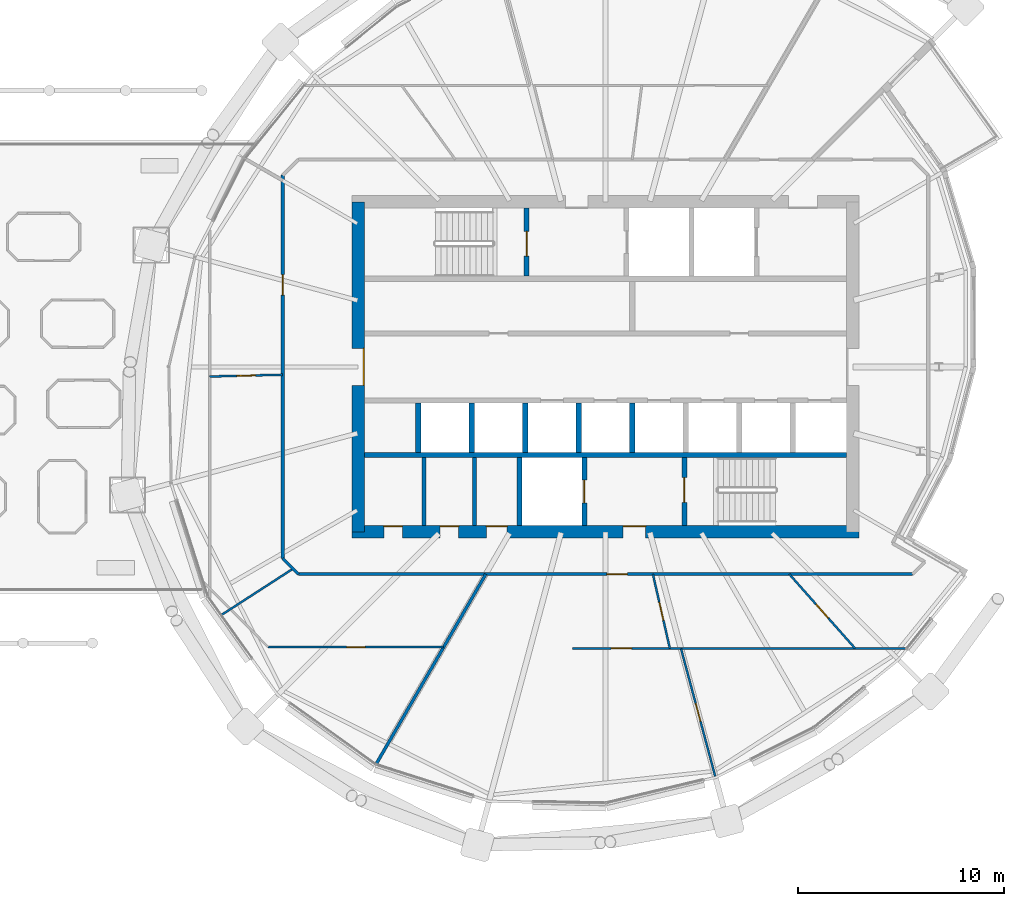
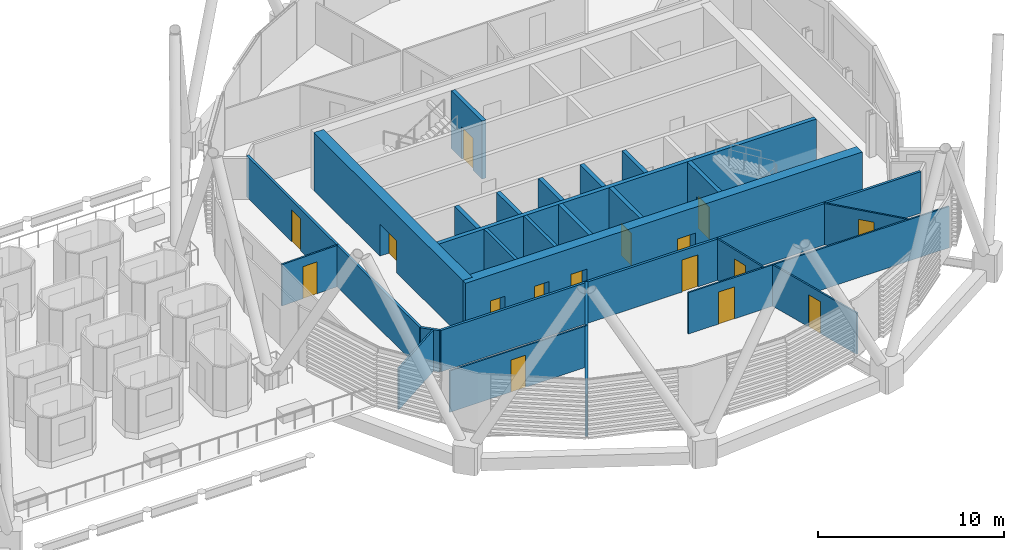
# One storey, part 27 of 38: 26 walls, 16 doors, 16 openings.
"""IFC4 building model written with IfcOpenShell, lengths in metres."""

from ifc_helpers import new_model, si_unit, direction, frame, frame_2d, origin, place, context, subcontext, project, spatial, rectangle, extrude, material, layer, layer_set, type_object, element, fill, save


model = new_model("IFC4")

# Units and contexts
model_context = context("Model", 3, precision=1e-05, world=origin(), true_north=direction((0.0, 1.0)))
body_context = subcontext(model_context, "Body", "Model", "MODEL_VIEW")
ifc_project = project(units=[si_unit("LENGTHUNIT", "METRE"), si_unit("AREAUNIT", "SQUARE_METRE"), si_unit("VOLUMEUNIT", "CUBIC_METRE"), si_unit("PLANEANGLEUNIT", "RADIAN"), si_unit("MASSUNIT", "GRAM", prefix="KILO")], contexts=[model_context])

# Site, building, storey
site_placement = place(None, origin())
site = spatial("IfcSite", under=ifc_project, at=site_placement, CompositionType="ELEMENT")
building_placement = place(site_placement, origin())
building = spatial("IfcBuilding", under=site, at=building_placement, Name="Rimbun Link Towers", CompositionType="ELEMENT")
storey_placement = place(building_placement, frame((0.0, 0.0, 158.89990234375)))
storey = spatial("IfcBuildingStorey", under=building, at=storey_placement, Name="L38", CompositionType="ELEMENT", Elevation=158.89990234375)

# Walls
ifc_material_1 = material(Name="Masonry blockwork", Category="masonry")
ifc_layer_1 = layer(ifc_material_1, 0.199951171875)
ifc_layer_set_1 = layer_set([ifc_layer_1], Name="Core partition 200")
wall_type_1 = type_object("IfcWallType", Name="Core partition 200", PredefinedType="PARTITIONING", material=ifc_layer_set_1)
for number, where, z_axis, x_axis, name in (
    (1, (22.949951171875, -4.39990234375, 0.0), (0.0, 0.0, 1.0), (0.0, -1.0, 0.0), "L38 T2 core wall C1"),
    (2, (25.39990234375, -4.39990234375, 0.0), (0.0, 0.0, 1.0), (0.0, -1.0, 0.0), "L38 T2 core wall C2"),
):
    element("IfcWall", number, at=place(storey_placement, frame(where, z_axis=z_axis, x_axis=x_axis)), inside=storey, type_object=wall_type_1, Name=name, PredefinedType="PARTITIONING", context=body_context, shape_type="SweptSolid", body=[
        extrude(rectangle(XDim=3.300048828125, YDim=0.199951171875, at=frame_2d((1.64990234375, 0.0))), origin(), (0.0, 0.0, 1.0), 3.800048828125),
    ])

# Wall, openings, doors
ifc_material_2 = material(Name="Concrete C60/75", Category="concrete")
ifc_layer_2 = layer(ifc_material_2, 0.60009765625)
ifc_layer_set_2 = layer_set([ifc_layer_2], Name="Core shear wall 600")
wall_type_2 = type_object("IfcWallType", Name="Core shear wall 600", PredefinedType="SHEAR", material=ifc_layer_set_2)
wall_1_placement = place(storey_placement, frame((19.449951171875, -8.0, 0.0), z_axis=(0.0, 0.0, 1.0), x_axis=(1.0, 0.0, 0.0)))
wall_1 = element("IfcWall", 3, at=wall_1_placement, inside=storey, type_object=wall_type_2, Name="L38 T2 core wall S", PredefinedType="SHEAR", context=body_context, shape_type="SweptSolid", body=[
    extrude(rectangle(XDim=24.60009765625, YDim=0.60009765625, at=frame_2d((12.300048828125, 0.0))), origin(), (0.0, 0.0, 1.0), 3.800048828125),
])
opening_1_placement = place(wall_1_placement, frame((13.14990234375, 0.0, 0.0)))
opening_1 = element("IfcOpeningElement", 4, at=opening_1_placement, cuts=wall_1, Name="Opening C2DCF01S", PredefinedType="OPENING", context=body_context, shape_type="SweptSolid", body=[
    extrude(rectangle(XDim=1.10009765625, YDim=2.10009765625, at=frame_2d((0.550048828125, 1.050048828125))), frame((0.0, 0.31005859375, 0.0), z_axis=(0.0, -1.0, 0.0), x_axis=(1.0, 0.0, 0.0)), (0.0, 0.0, 1.0), 0.6201171875),
])
opening_2_placement = place(wall_1_placement, frame((1.550048828125, 0.0, 0.0)))
opening_2 = element("IfcOpeningElement", 5, at=opening_2_placement, cuts=wall_1, Name="Opening C2DWC02S", PredefinedType="OPENING", context=body_context, shape_type="SweptSolid", body=[
    extrude(rectangle(XDim=0.89990234375, YDim=2.10009765625, at=frame_2d((0.449951171875, 1.050048828125))), frame((0.0, 0.31005859375, 0.0), z_axis=(0.0, -1.0, 0.0), x_axis=(1.0, 0.0, 0.0)), (0.0, 0.0, 1.0), 0.6201171875),
])
opening_3_placement = place(wall_1_placement, frame((4.27490234375, 0.0, 0.0)))
opening_3 = element("IfcOpeningElement", 6, at=opening_3_placement, cuts=wall_1, Name="Opening C2DWC03S", PredefinedType="OPENING", context=body_context, shape_type="SweptSolid", body=[
    extrude(rectangle(XDim=0.89990234375, YDim=2.10009765625, at=frame_2d((0.449951171875, 1.050048828125))), frame((0.0, 0.31005859375, 0.0), z_axis=(0.0, -1.0, 0.0), x_axis=(1.0, 0.0, 0.0)), (0.0, 0.0, 1.0), 0.6201171875),
])
opening_4_placement = place(wall_1_placement, frame((6.52490234375, 0.0, 0.0)))
opening_4 = element("IfcOpeningElement", 7, at=opening_4_placement, cuts=wall_1, Name="Opening C2DAW04S", PredefinedType="OPENING", context=body_context, shape_type="SweptSolid", body=[
    extrude(rectangle(XDim=1.0, YDim=2.10009765625, at=frame_2d((0.5, 1.050048828125))), frame((0.0, 0.31005859375, 0.0), z_axis=(0.0, -1.0, 0.0), x_axis=(1.0, 0.0, 0.0)), (0.0, 0.0, 1.0), 0.6201171875),
])
ifc_material_3 = material(Name="Timber", Category="wood")
door_type_1 = type_object("IfcDoorType", Name="Accessible WC door", OperationType="SINGLE_SWING_LEFT", PredefinedType="DOOR", material=ifc_material_3)
door_1_placement = place(opening_4_placement, origin())
door_1 = element("IfcDoor", 8, at=door_1_placement, inside=storey, type_object=door_type_1, Name="L38 T2 accessible wc door", OperationType="SINGLE_SWING_RIGHT", OverallHeight=2.10009765625, OverallWidth=1.0, PredefinedType="DOOR", context=body_context, shape_type="SweptSolid", body=[
    extrude(rectangle(XDim=1.0, YDim=2.10009765625, at=frame_2d((0.5, 1.050048828125))), frame((0.0, 0.2998046875, 0.0), z_axis=(0.0, -1.0, 0.0), x_axis=(1.0, 0.0, 0.0)), (0.0, 0.0, 1.0), 0.050048828125),
])
fill(opening_4, door_1)
ifc_material_4 = material(Name="Steel fire door set", Category="steel")
door_type_2 = type_object("IfcDoorType", Name="Core fire door single", OperationType="SINGLE_SWING_LEFT", PredefinedType="DOOR", material=ifc_material_4)
door_2_placement = place(opening_1_placement, origin())
door_2 = element("IfcDoor", 9, at=door_2_placement, inside=storey, type_object=door_type_2, Name="L38 T2 firefighting lobby s door", OperationType="SINGLE_SWING_RIGHT", OverallHeight=2.10009765625, OverallWidth=1.10009765625, PredefinedType="DOOR", context=body_context, shape_type="SweptSolid", body=[
    extrude(rectangle(XDim=1.10009765625, YDim=2.10009765625, at=frame_2d((0.550048828125, 1.050048828125))), frame((0.0, 0.2998046875, 0.0), z_axis=(0.0, -1.0, 0.0), x_axis=(1.0, 0.0, 0.0)), (0.0, 0.0, 1.0), 0.050048828125),
])
fill(opening_1, door_2)
ifc_material_5 = material(Name="Timber", Category="wood")
door_type_3 = type_object("IfcDoorType", Name="WC door", OperationType="SINGLE_SWING_LEFT", PredefinedType="DOOR", material=ifc_material_5)
door_3_placement = place(opening_2_placement, origin())
door_3 = element("IfcDoor", 10, at=door_3_placement, inside=storey, type_object=door_type_3, Name="L38 T2 male wc door", OperationType="SINGLE_SWING_RIGHT", OverallHeight=2.10009765625, OverallWidth=0.89990234375, PredefinedType="DOOR", context=body_context, shape_type="SweptSolid", body=[
    extrude(rectangle(XDim=0.89990234375, YDim=2.10009765625, at=frame_2d((0.449951171875, 1.050048828125))), frame((0.0, 0.2998046875, 0.0), z_axis=(0.0, -1.0, 0.0), x_axis=(1.0, 0.0, 0.0)), (0.0, 0.0, 1.0), 0.050048828125),
])
fill(opening_2, door_3)
door_4_placement = place(opening_3_placement, origin())
door_4 = element("IfcDoor", 11, at=door_4_placement, inside=storey, type_object=door_type_3, Name="L38 T2 female wc door", OperationType="SINGLE_SWING_LEFT", OverallHeight=2.10009765625, OverallWidth=0.89990234375, PredefinedType="DOOR", context=body_context, shape_type="SweptSolid", body=[
    extrude(rectangle(XDim=0.89990234375, YDim=2.10009765625, at=frame_2d((0.449951171875, 1.050048828125))), frame((0.0, 0.2998046875, 0.0), z_axis=(0.0, -1.0, 0.0), x_axis=(1.0, 0.0, 0.0)), (0.0, 0.0, 1.0), 0.050048828125),
])
fill(opening_3, door_4)

# Wall, opening, door
wall_2_placement = place(storey_placement, frame((19.75, -8.0, 0.0), z_axis=(0.0, 0.0, 1.0), x_axis=(0.0, 1.0, 0.0)))
wall_2 = element("IfcWall", 12, at=wall_2_placement, inside=storey, type_object=wall_type_2, Name="L38 T2 core wall W", PredefinedType="SHEAR", context=body_context, shape_type="SweptSolid", body=[
    extrude(rectangle(XDim=16.0, YDim=0.60009765625, at=frame_2d((8.0, 0.0))), origin(), (0.0, 0.0, 1.0), 3.800048828125),
])
opening_5_placement = place(wall_2_placement, frame((7.10009765625, 0.0, 0.0)))
opening_5 = element("IfcOpeningElement", 13, at=opening_5_placement, cuts=wall_2, Name="Opening C2DCL01W", PredefinedType="OPENING", context=body_context, shape_type="SweptSolid", body=[
    extrude(rectangle(XDim=1.800048828125, YDim=2.10009765625, at=frame_2d((0.89990234375, 1.050048828125))), frame((0.0, 0.31005859375, 0.0), z_axis=(0.0, -1.0, 0.0), x_axis=(1.0, 0.0, 0.0)), (0.0, 0.0, 1.0), 0.6201171875),
])
ifc_material_6 = material(Name="Steel fire door set", Category="steel")
door_type_4 = type_object("IfcDoorType", Name="Core lobby door double", OperationType="DOUBLE_DOOR_SINGLE_SWING", PredefinedType="DOOR", material=ifc_material_6)
door_5_placement = place(opening_5_placement, origin())
door_5 = element("IfcDoor", 14, at=door_5_placement, inside=storey, type_object=door_type_4, Name="L38 T2 lift lobby door", OperationType="DOUBLE_DOOR_SINGLE_SWING", OverallHeight=2.10009765625, OverallWidth=1.800048828125, PredefinedType="DOOR", context=body_context, shape_type="SweptSolid", body=[
    extrude(rectangle(XDim=1.800048828125, YDim=2.10009765625, at=frame_2d((0.89990234375, 1.050048828125))), frame((0.0, -0.25, 0.0), z_axis=(0.0, -1.0, 0.0), x_axis=(1.0, 0.0, 0.0)), (0.0, 0.0, 1.0), 0.050048828125),
])
fill(opening_5, door_5)

ifc_material_7 = material(Name="Plasterboard on steel stud, mineral wool", Category="steel")
ifc_layer_3 = layer(ifc_material_7, 0.14990234375)
ifc_layer_set_3 = layer_set([ifc_layer_3], Name="Corridor wall EI 30 150 mm")
wall_type_3 = type_object("IfcWallType", Name="Corridor wall EI 30 150 mm", PredefinedType="PARTITIONING", material=ifc_layer_set_3)
wall_3_placement = place(storey_placement, frame((46.643798828125, -10.054931640625, 0.0), z_axis=(0.0, 0.0, 1.0), x_axis=(-1.0, 0.0, 0.0)))
wall_3 = element("IfcWall", 15, at=wall_3_placement, inside=storey, type_object=wall_type_3, Name="Corridor wall EI 30 150 mm", PredefinedType="PARTITIONING", context=body_context, shape_type="SweptSolid", body=[
    extrude(rectangle(XDim=29.78759765625, YDim=0.14990234375, at=frame_2d((14.893798828125, 0.0))), origin(), (0.0, 0.0, 1.0), 2.712158203125),
])
opening_6_placement = place(wall_3_placement, frame((13.826416015625, 0.0, 0.0)))
opening_6 = element("IfcOpeningElement", 16, at=opening_6_placement, cuts=wall_3, Name="Opening D01", PredefinedType="OPENING", context=body_context, shape_type="SweptSolid", body=[
    extrude(rectangle(XDim=1.0, YDim=2.10009765625, at=frame_2d((0.5, 1.050048828125))), frame((0.0, 0.0849609375, 0.0), z_axis=(0.0, -1.0, 0.0), x_axis=(1.0, 0.0, 0.0)), (0.0, 0.0, 1.0), 0.169921875),
])
ifc_material_8 = material(Name="Fire-resisting timber door leaf", Category="wood")
door_type_5 = type_object("IfcDoorType", Name="Fire door FD30S 1000", OperationType="NOTDEFINED", PredefinedType="DOOR", material=ifc_material_8)
door_6_placement = place(opening_6_placement, origin())
door_6 = element("IfcDoor", 17, at=door_6_placement, inside=storey, type_object=door_type_5, Name="Fire door FD30S 1000 to Tenant lobby", OperationType="SINGLE_SWING_RIGHT", OverallHeight=2.10009765625, OverallWidth=1.0, PredefinedType="DOOR", context=body_context, shape_type="SweptSolid", body=[
    extrude(rectangle(XDim=1.0, YDim=2.10009765625, at=frame_2d((0.5, 1.050048828125))), frame((0.0, 0.02490234375, 0.0), z_axis=(0.0, -1.0, 0.0), x_axis=(1.0, 0.0, 0.0)), (0.0, 0.0, 1.0), 0.050048828125),
])
fill(opening_6, door_6)

# Wall
wall_4_placement = place(storey_placement, frame((16.094970703125, -9.293701171875, 0.0), z_axis=(0.0, 0.0, 1.0), x_axis=(0.707106781187, -0.707106781187, 0.0)))
element("IfcWall", 18, at=wall_4_placement, inside=storey, type_object=wall_type_3, Name="Corridor wall EI 30 150 mm", PredefinedType="PARTITIONING", context=body_context, shape_type="SweptSolid", body=[
    extrude(rectangle(XDim=1.07666015625, YDim=0.14990234375, at=frame_2d((0.538330078125, 0.0))), origin(), (0.0, 0.0, 1.0), 2.712158203125),
])

# Wall, opening, door
wall_5_placement = place(storey_placement, frame((16.094970703125, -9.293701171875, 0.0), z_axis=(0.0, 0.0, 1.0), x_axis=(0.0, 1.0, 0.0)))
wall_5 = element("IfcWall", 19, at=wall_5_placement, inside=storey, type_object=wall_type_3, Name="Corridor wall EI 30 150 mm", PredefinedType="PARTITIONING", context=body_context, shape_type="SweptSolid", body=[
    extrude(rectangle(XDim=18.58740234375, YDim=0.14990234375, at=frame_2d((9.293701171875, 0.0))), origin(), (0.0, 0.0, 1.0), 2.712158203125),
])
opening_7_placement = place(wall_5_placement, frame((12.767333984375, 0.0, 0.0)))
opening_7 = element("IfcOpeningElement", 20, at=opening_7_placement, cuts=wall_5, Name="Opening D01", PredefinedType="OPENING", context=body_context, shape_type="SweptSolid", body=[
    extrude(rectangle(XDim=1.0, YDim=2.10009765625, at=frame_2d((0.5, 1.050048828125))), frame((0.0, 0.0849609375, 0.0), z_axis=(0.0, -1.0, 0.0), x_axis=(1.0, 0.0, 0.0)), (0.0, 0.0, 1.0), 0.169921875),
])
door_7_placement = place(opening_7_placement, origin())
door_7 = element("IfcDoor", 21, at=door_7_placement, inside=storey, type_object=door_type_5, Name="Fire door FD30S 1000 to Tenant lobby", OperationType="SINGLE_SWING_LEFT", OverallHeight=2.10009765625, OverallWidth=1.0, PredefinedType="DOOR", context=body_context, shape_type="SweptSolid", body=[
    extrude(rectangle(XDim=1.0, YDim=2.10009765625, at=frame_2d((0.5, 1.050048828125))), frame((0.0, 0.02490234375, 0.0), z_axis=(0.0, -1.0, 0.0), x_axis=(1.0, 0.0, 0.0)), (0.0, 0.0, 1.0), 0.050048828125),
])
fill(opening_7, door_7)

ifc_material_9 = material(Name="Plasterboard on steel stud", Category="steel")
ifc_layer_4 = layer(ifc_material_9, 0.10009765625)
ifc_layer_set_4 = layer_set([ifc_layer_4], Name="Plasterboard partition 100 mm")
wall_type_4 = type_object("IfcWallType", Name="Plasterboard partition 100 mm", PredefinedType="PARTITIONING", material=ifc_layer_set_4)
wall_6_placement = place(storey_placement, frame((16.094970703125, -0.382568359375, 0.0), z_axis=(0.0, 0.0, 1.0), x_axis=(-0.999702116508, -0.024406520638, 0.0)))
wall_6 = element("IfcWall", 22, at=wall_6_placement, inside=storey, type_object=wall_type_4, Name="Plasterboard partition 100 mm", PredefinedType="PARTITIONING", context=body_context, shape_type="SweptSolid", body=[
    extrude(rectangle(XDim=3.541015625, YDim=0.10009765625, at=frame_2d((1.7705078125, 0.0))), origin(), (0.0, 0.0, 1.0), 2.712158203125),
])
opening_8_placement = place(wall_6_placement, frame((1.320556640625, 0.0, 0.0)))
opening_8 = element("IfcOpeningElement", 23, at=opening_8_placement, cuts=wall_6, Name="Opening D04", PredefinedType="OPENING", context=body_context, shape_type="SweptSolid", body=[
    extrude(rectangle(XDim=0.89990234375, YDim=2.10009765625, at=frame_2d((0.449951171875, 1.050048828125))), frame((0.0, 0.06005859375, 0.0), z_axis=(0.0, -1.0, 0.0), x_axis=(1.0, 0.0, 0.0)), (0.0, 0.0, 1.0), 0.1201171875),
])
ifc_material_10 = material(Name="Timber door leaf", Category="wood")
door_type_6 = type_object("IfcDoorType", Name="Flush door 900", OperationType="NOTDEFINED", PredefinedType="DOOR", material=ifc_material_10)
door_8_placement = place(opening_8_placement, origin())
door_8 = element("IfcDoor", 24, at=door_8_placement, inside=storey, type_object=door_type_6, Name="Flush door 900 to Data room", OperationType="SINGLE_SWING_LEFT", OverallHeight=2.10009765625, OverallWidth=0.89990234375, PredefinedType="DOOR", context=body_context, shape_type="SweptSolid", body=[
    extrude(rectangle(XDim=0.89990234375, YDim=2.10009765625, at=frame_2d((0.449951171875, 1.050048828125))), frame((0.0, 0.02490234375, 0.0), z_axis=(0.0, -1.0, 0.0), x_axis=(1.0, 0.0, 0.0)), (0.0, 0.0, 1.0), 0.050048828125),
])
fill(opening_8, door_8)

# Wall
wall_7_placement = place(storey_placement, frame((13.1201171875, -12.036376953125, 0.0), z_axis=(0.0, 0.0, 1.0), x_axis=(0.83993902528, 0.54268078445, 0.0)))
element("IfcWall", 25, at=wall_7_placement, inside=storey, type_object=wall_type_4, Name="Plasterboard partition 100 mm", PredefinedType="PARTITIONING", context=body_context, shape_type="SweptSolid", body=[
    extrude(rectangle(XDim=4.13525390625, YDim=0.10009765625, at=frame_2d((2.067626953125, 0.0))), origin(), (0.0, 0.0, 1.0), 2.712158203125),
])

# Wall, opening, door
wall_8_placement = place(storey_placement, frame((15.389892578125, -13.594970703125, 0.0), z_axis=(0.0, 0.0, 1.0), x_axis=(1.0, 0.0, 0.0)))
wall_8 = element("IfcWall", 26, at=wall_8_placement, inside=storey, type_object=wall_type_4, Name="Plasterboard partition 100 mm", PredefinedType="PARTITIONING", context=body_context, shape_type="SweptSolid", body=[
    extrude(rectangle(XDim=8.510986328125, YDim=0.10009765625, at=frame_2d((4.25537109375, 0.0))), origin(), (0.0, 0.0, 1.0), 2.712158203125),
])
opening_9_placement = place(wall_8_placement, frame((3.805419921875, 0.0, 0.0)))
opening_9 = element("IfcOpeningElement", 27, at=opening_9_placement, cuts=wall_8, Name="Opening D04", PredefinedType="OPENING", context=body_context, shape_type="SweptSolid", body=[
    extrude(rectangle(XDim=0.89990234375, YDim=2.10009765625, at=frame_2d((0.449951171875, 1.050048828125))), frame((0.0, 0.06005859375, 0.0), z_axis=(0.0, -1.0, 0.0), x_axis=(1.0, 0.0, 0.0)), (0.0, 0.0, 1.0), 0.1201171875),
])
door_9_placement = place(opening_9_placement, origin())
door_9 = element("IfcDoor", 28, at=door_9_placement, inside=storey, type_object=door_type_6, Name="Flush door 900 to Communications room", OperationType="SINGLE_SWING_RIGHT", OverallHeight=2.10009765625, OverallWidth=0.89990234375, PredefinedType="DOOR", context=body_context, shape_type="SweptSolid", body=[
    extrude(rectangle(XDim=0.89990234375, YDim=2.10009765625, at=frame_2d((0.449951171875, 1.050048828125))), frame((0.0, 0.02490234375, 0.0), z_axis=(0.0, -1.0, 0.0), x_axis=(1.0, 0.0, 0.0)), (0.0, 0.0, 1.0), 0.050048828125),
])
fill(opening_9, door_9)

wall_9_placement = place(storey_placement, frame((34.04833984375, -10.054931640625, 0.0), z_axis=(0.0, 0.0, 1.0), x_axis=(0.222792489794, -0.974865891542, 0.0)))
wall_9 = element("IfcWall", 29, at=wall_9_placement, inside=storey, type_object=wall_type_4, Name="Plasterboard partition 100 mm", PredefinedType="PARTITIONING", context=body_context, shape_type="SweptSolid", body=[
    extrude(rectangle(XDim=3.69287109375, YDim=0.10009765625, at=frame_2d((1.846435546875, 0.0))), origin(), (0.0, 0.0, 1.0), 2.712158203125),
])
opening_10_placement = place(wall_9_placement, frame((1.396484375, 0.0, 0.0)))
opening_10 = element("IfcOpeningElement", 30, at=opening_10_placement, cuts=wall_9, Name="Opening D04", PredefinedType="OPENING", context=body_context, shape_type="SweptSolid", body=[
    extrude(rectangle(XDim=0.89990234375, YDim=2.10009765625, at=frame_2d((0.449951171875, 1.050048828125))), frame((0.0, 0.06005859375, 0.0), z_axis=(0.0, -1.0, 0.0), x_axis=(1.0, 0.0, 0.0)), (0.0, 0.0, 1.0), 0.1201171875),
])
door_10_placement = place(opening_10_placement, origin())
door_10 = element("IfcDoor", 31, at=door_10_placement, inside=storey, type_object=door_type_6, Name="Flush door 900 to Huddle room", OperationType="SINGLE_SWING_LEFT", OverallHeight=2.10009765625, OverallWidth=0.89990234375, PredefinedType="DOOR", context=body_context, shape_type="SweptSolid", body=[
    extrude(rectangle(XDim=0.89990234375, YDim=2.10009765625, at=frame_2d((0.449951171875, 1.050048828125))), frame((0.0, 0.02490234375, 0.0), z_axis=(0.0, -1.0, 0.0), x_axis=(1.0, 0.0, 0.0)), (0.0, 0.0, 1.0), 0.050048828125),
])
fill(opening_10, door_10)

wall_10_placement = place(storey_placement, frame((35.40869140625, -13.655029296875, 0.0), z_axis=(0.0, 0.0, 1.0), x_axis=(-1.0, 0.0, 0.0)))
wall_10 = element("IfcWall", 32, at=wall_10_placement, inside=storey, type_object=wall_type_4, Name="Plasterboard partition 100 mm", PredefinedType="PARTITIONING", context=body_context, shape_type="SweptSolid", body=[
    extrude(rectangle(XDim=5.269287109375, YDim=0.10009765625, at=frame_2d((2.634765625, 0.0))), origin(), (0.0, 0.0, 1.0), 2.712158203125),
])
opening_11_placement = place(wall_10_placement, frame((2.388427734375, 0.0, 0.0)))
opening_11 = element("IfcOpeningElement", 33, at=opening_11_placement, cuts=wall_10, Name="Opening D03", PredefinedType="OPENING", context=body_context, shape_type="SweptSolid", body=[
    extrude(rectangle(XDim=1.0, YDim=2.10009765625, at=frame_2d((0.5, 1.050048828125))), frame((0.0, 0.06005859375, 0.0), z_axis=(0.0, -1.0, 0.0), x_axis=(1.0, 0.0, 0.0)), (0.0, 0.0, 1.0), 0.1201171875),
])
ifc_material_11 = material(Name="Timber door leaf", Category="wood")
door_type_7 = type_object("IfcDoorType", Name="Flush door 1000", OperationType="NOTDEFINED", PredefinedType="DOOR", material=ifc_material_11)
door_11_placement = place(opening_11_placement, origin())
door_11 = element("IfcDoor", 34, at=door_11_placement, inside=storey, type_object=door_type_7, Name="Flush door 1000 to Open office", OperationType="SINGLE_SWING_RIGHT", OverallHeight=2.10009765625, OverallWidth=1.0, PredefinedType="DOOR", context=body_context, shape_type="SweptSolid", body=[
    extrude(rectangle(XDim=1.0, YDim=2.10009765625, at=frame_2d((0.5, 1.050048828125))), frame((0.0, 0.02490234375, 0.0), z_axis=(0.0, -1.0, 0.0), x_axis=(1.0, 0.0, 0.0)), (0.0, 0.0, 1.0), 0.050048828125),
])
fill(opening_11, door_11)

wall_11_placement = place(storey_placement, frame((40.6650390625, -10.054931640625, 0.0), z_axis=(0.0, 0.0, 1.0), x_axis=(0.663383723139, -0.748279383569, 0.0)))
wall_11 = element("IfcWall", 35, at=wall_11_placement, inside=storey, type_object=wall_type_4, Name="Plasterboard partition 100 mm", PredefinedType="PARTITIONING", context=body_context, shape_type="SweptSolid", body=[
    extrude(rectangle(XDim=4.811279296875, YDim=0.10009765625, at=frame_2d((2.40576171875, 0.0))), origin(), (0.0, 0.0, 1.0), 2.712158203125),
])
opening_12_placement = place(wall_11_placement, frame((1.95556640625, 0.0, 0.0)))
opening_12 = element("IfcOpeningElement", 36, at=opening_12_placement, cuts=wall_11, Name="Opening D04", PredefinedType="OPENING", context=body_context, shape_type="SweptSolid", body=[
    extrude(rectangle(XDim=0.89990234375, YDim=2.10009765625, at=frame_2d((0.449951171875, 1.050048828125))), frame((0.0, 0.06005859375, 0.0), z_axis=(0.0, -1.0, 0.0), x_axis=(1.0, 0.0, 0.0)), (0.0, 0.0, 1.0), 0.1201171875),
])
door_12_placement = place(opening_12_placement, origin())
door_12 = element("IfcDoor", 37, at=door_12_placement, inside=storey, type_object=door_type_6, Name="Flush door 900 to Huddle room", OperationType="SINGLE_SWING_LEFT", OverallHeight=2.10009765625, OverallWidth=0.89990234375, PredefinedType="DOOR", context=body_context, shape_type="SweptSolid", body=[
    extrude(rectangle(XDim=0.89990234375, YDim=2.10009765625, at=frame_2d((0.449951171875, 1.050048828125))), frame((0.0, 0.02490234375, 0.0), z_axis=(0.0, -1.0, 0.0), x_axis=(1.0, 0.0, 0.0)), (0.0, 0.0, 1.0), 0.050048828125),
])
fill(opening_12, door_12)

# Wall
wall_12_placement = place(storey_placement, frame((35.40869140625, -13.655029296875, 0.0), z_axis=(0.0, 0.0, 1.0), x_axis=(1.0, 0.0, 0.0)))
element("IfcWall", 38, at=wall_12_placement, inside=storey, type_object=wall_type_4, Name="Plasterboard partition 100 mm", PredefinedType="PARTITIONING", context=body_context, shape_type="SweptSolid", body=[
    extrude(rectangle(XDim=10.918701171875, YDim=0.10009765625, at=frame_2d((5.45947265625, 0.0))), origin(), (0.0, 0.0, 1.0), 2.712158203125),
])

# Wall, opening, door
wall_13_placement = place(storey_placement, frame((35.40869140625, -13.655029296875, 0.0), z_axis=(0.0, 0.0, 1.0), x_axis=(0.258831074452, -0.965922602954, 0.0)))
wall_13 = element("IfcWall", 39, at=wall_13_placement, inside=storey, type_object=wall_type_4, Name="Plasterboard partition 100 mm", PredefinedType="PARTITIONING", context=body_context, shape_type="SweptSolid", body=[
    extrude(rectangle(XDim=6.423583984375, YDim=0.10009765625, at=frame_2d((3.2119140625, 0.0))), origin(), (0.0, 0.0, 1.0), 2.712158203125),
])
opening_13_placement = place(wall_13_placement, frame((2.76171875, 0.0, 0.0)))
opening_13 = element("IfcOpeningElement", 40, at=opening_13_placement, cuts=wall_13, Name="Opening D04", PredefinedType="OPENING", context=body_context, shape_type="SweptSolid", body=[
    extrude(rectangle(XDim=0.89990234375, YDim=2.10009765625, at=frame_2d((0.449951171875, 1.050048828125))), frame((0.0, 0.06005859375, 0.0), z_axis=(0.0, -1.0, 0.0), x_axis=(1.0, 0.0, 0.0)), (0.0, 0.0, 1.0), 0.1201171875),
])
door_13_placement = place(opening_13_placement, origin())
door_13 = element("IfcDoor", 41, at=door_13_placement, inside=storey, type_object=door_type_6, Name="Flush door 900 to Project room", OperationType="SINGLE_SWING_LEFT", OverallHeight=2.10009765625, OverallWidth=0.89990234375, PredefinedType="DOOR", context=body_context, shape_type="SweptSolid", body=[
    extrude(rectangle(XDim=0.89990234375, YDim=2.10009765625, at=frame_2d((0.449951171875, 1.050048828125))), frame((0.0, 0.02490234375, 0.0), z_axis=(0.0, -1.0, 0.0), x_axis=(1.0, 0.0, 0.0)), (0.0, 0.0, 1.0), 0.050048828125),
])
fill(opening_13, door_13)

# Walls
ifc_material_12 = material(Name="Concrete C60/75", Category="concrete")
ifc_layer_5 = layer(ifc_material_12, 0.25)
ifc_layer_set_5 = layer_set([ifc_layer_5], Name="Shaft wall 250")
wall_type_5 = type_object("IfcWallType", Name="Shaft wall 250", PredefinedType="SHEAR", material=ifc_layer_set_5)
wall_14_placement = place(storey_placement, frame((20.050048828125, -4.27490234375, 0.0), z_axis=(0.0, 0.0, 1.0), x_axis=(1.0, 0.0, 0.0)))
element("IfcWall", 42, at=wall_14_placement, inside=storey, type_object=wall_type_5, Name="L38 T2 core wall BS", PredefinedType="SHEAR", context=body_context, shape_type="SweptSolid", body=[
    extrude(rectangle(XDim=23.39990234375, YDim=0.25, at=frame_2d((11.699951171875, 0.0))), origin(), (0.0, 0.0, 1.0), 3.800048828125),
])
for number, where, z_axis, x_axis, name in (
    (43, (22.66943359375, -4.14990234375, 0.0), (0.0, 0.0, 1.0), (0.0, 1.0, 0.0), "L38 T2 core wall DS0"),
    (44, (25.263916015625, -4.14990234375, 0.0), (0.0, 0.0, 1.0), (0.0, 1.0, 0.0), "L38 T2 core wall DS1"),
    (45, (27.8583984375, -4.14990234375, 0.0), (0.0, 0.0, 1.0), (0.0, 1.0, 0.0), "L38 T2 core wall DS2"),
    (46, (30.452880859375, -4.14990234375, 0.0), (0.0, 0.0, 1.0), (0.0, 1.0, 0.0), "L38 T2 core wall DS3"),
    (47, (33.047119140625, -4.14990234375, 0.0), (0.0, 0.0, 1.0), (0.0, 1.0, 0.0), "L38 T2 core wall DS4"),
):
    element("IfcWall", number, at=place(storey_placement, frame(where, z_axis=z_axis, x_axis=x_axis)), inside=storey, type_object=wall_type_5, Name=name, PredefinedType="SHEAR", context=body_context, shape_type="SweptSolid", body=[
        extrude(rectangle(XDim=2.39990234375, YDim=0.25, at=frame_2d((1.199951171875, 0.0))), origin(), (0.0, 0.0, 1.0), 3.800048828125),
    ])

# Wall, opening, door
wall_15_placement = place(storey_placement, frame((27.925048828125, 4.39990234375, 0.0), z_axis=(0.0, 0.0, 1.0), x_axis=(0.0, 1.0, 0.0)))
wall_15 = element("IfcWall", 48, at=wall_15_placement, inside=storey, type_object=wall_type_5, Name="L38 T2 core wall A1", PredefinedType="SHEAR", context=body_context, shape_type="SweptSolid", body=[
    extrude(rectangle(XDim=3.300048828125, YDim=0.25, at=frame_2d((1.64990234375, 0.0))), origin(), (0.0, 0.0, 1.0), 3.800048828125),
])
opening_14_placement = place(wall_15_placement, frame((0.97509765625, 0.0, 0.0)))
opening_14 = element("IfcOpeningElement", 49, at=opening_14_placement, cuts=wall_15, Name="Opening C2DST01A1", PredefinedType="OPENING", context=body_context, shape_type="SweptSolid", body=[
    extrude(rectangle(XDim=1.199951171875, YDim=2.10009765625, at=frame_2d((0.60009765625, 1.050048828125))), frame((0.0, 0.135009765625, 0.0), z_axis=(0.0, -1.0, 0.0), x_axis=(1.0, 0.0, 0.0)), (0.0, 0.0, 1.0), 0.27001953125),
])
ifc_material_13 = material(Name="Steel fire door set", Category="steel")
door_type_8 = type_object("IfcDoorType", Name="Stair door", OperationType="SINGLE_SWING_LEFT", PredefinedType="DOOR", material=ifc_material_13)
door_14_placement = place(opening_14_placement, origin())
door_14 = element("IfcDoor", 50, at=door_14_placement, inside=storey, type_object=door_type_8, Name="L38 T2 stair a door", OperationType="SINGLE_SWING_RIGHT", OverallHeight=2.10009765625, OverallWidth=1.199951171875, PredefinedType="DOOR", context=body_context, shape_type="SweptSolid", body=[
    extrude(rectangle(XDim=1.199951171875, YDim=2.10009765625, at=frame_2d((0.60009765625, 1.050048828125))), frame((0.0, 0.02490234375, 0.0), z_axis=(0.0, -1.0, 0.0), x_axis=(1.0, 0.0, 0.0)), (0.0, 0.0, 1.0), 0.050048828125),
])
fill(opening_14, door_14)

wall_16_placement = place(storey_placement, frame((35.574951171875, -4.39990234375, 0.0), z_axis=(0.0, 0.0, 1.0), x_axis=(0.0, -1.0, 0.0)))
wall_16 = element("IfcWall", 51, at=wall_16_placement, inside=storey, type_object=wall_type_5, Name="L38 T2 core wall B1", PredefinedType="SHEAR", context=body_context, shape_type="SweptSolid", body=[
    extrude(rectangle(XDim=3.300048828125, YDim=0.25, at=frame_2d((1.64990234375, 0.0))), origin(), (0.0, 0.0, 1.0), 3.800048828125),
])
opening_15_placement = place(wall_16_placement, frame((0.97509765625, 0.0, 0.0)))
opening_15 = element("IfcOpeningElement", 52, at=opening_15_placement, cuts=wall_16, Name="Opening C2DST01B1", PredefinedType="OPENING", context=body_context, shape_type="SweptSolid", body=[
    extrude(rectangle(XDim=1.199951171875, YDim=2.10009765625, at=frame_2d((0.60009765625, 1.050048828125))), frame((0.0, 0.135009765625, 0.0), z_axis=(0.0, -1.0, 0.0), x_axis=(1.0, 0.0, 0.0)), (0.0, 0.0, 1.0), 0.27001953125),
])
door_15_placement = place(opening_15_placement, origin())
door_15 = element("IfcDoor", 53, at=door_15_placement, inside=storey, type_object=door_type_8, Name="L38 T2 stair b door", OperationType="SINGLE_SWING_LEFT", OverallHeight=2.10009765625, OverallWidth=1.199951171875, PredefinedType="DOOR", context=body_context, shape_type="SweptSolid", body=[
    extrude(rectangle(XDim=1.199951171875, YDim=2.10009765625, at=frame_2d((0.60009765625, 1.050048828125))), frame((0.0, 0.02490234375, 0.0), z_axis=(0.0, -1.0, 0.0), x_axis=(1.0, 0.0, 0.0)), (0.0, 0.0, 1.0), 0.050048828125),
])
fill(opening_15, door_15)

wall_17_placement = place(storey_placement, frame((30.72509765625, -4.39990234375, 0.0), z_axis=(0.0, 0.0, 1.0), x_axis=(0.0, -1.0, 0.0)))
wall_17 = element("IfcWall", 54, at=wall_17_placement, inside=storey, type_object=wall_type_5, Name="L38 T2 core wall B2", PredefinedType="SHEAR", context=body_context, shape_type="SweptSolid", body=[
    extrude(rectangle(XDim=3.300048828125, YDim=0.25, at=frame_2d((1.64990234375, 0.0))), origin(), (0.0, 0.0, 1.0), 3.800048828125),
])
opening_16_placement = place(wall_17_placement, frame((1.10009765625, 0.0, 0.0)))
opening_16 = element("IfcOpeningElement", 55, at=opening_16_placement, cuts=wall_17, Name="Opening LD-T2-FF2", PredefinedType="OPENING", context=body_context, shape_type="SweptSolid", body=[
    extrude(rectangle(XDim=1.10009765625, YDim=2.10009765625, at=frame_2d((0.550048828125, 1.050048828125))), frame((0.0, 0.135009765625, 0.0), z_axis=(0.0, -1.0, 0.0), x_axis=(1.0, 0.0, 0.0)), (0.0, 0.0, 1.0), 0.27001953125),
])
ifc_material_14 = material(Name="Stainless steel grade 316", Category="steel")
door_type_9 = type_object("IfcDoorType", Name="Lift landing door", OperationType="DOUBLE_DOOR_SLIDING", PredefinedType="DOOR", material=ifc_material_14)
door_16_placement = place(opening_16_placement, origin())
door_16 = element("IfcDoor", 56, at=door_16_placement, inside=storey, type_object=door_type_9, Name="L38 T2 lift FF2 landing door", OperationType="DOUBLE_DOOR_SLIDING", OverallHeight=2.10009765625, OverallWidth=1.10009765625, PredefinedType="DOOR", context=body_context, shape_type="SweptSolid", body=[
    extrude(rectangle(XDim=1.10009765625, YDim=2.10009765625, at=frame_2d((0.550048828125, 1.050048828125))), frame((0.0, 0.02490234375, 0.0), z_axis=(0.0, -1.0, 0.0), x_axis=(1.0, 0.0, 0.0)), (0.0, 0.0, 1.0), 0.050048828125),
])
fill(opening_16, door_16)

# Walls
wall_18_placement = place(storey_placement, frame((27.574951171875, -4.39990234375, 0.0), z_axis=(0.0, 0.0, 1.0), x_axis=(0.0, -1.0, 0.0)))
element("IfcWall", 57, at=wall_18_placement, inside=storey, type_object=wall_type_5, Name="L38 T2 core wall B3", PredefinedType="SHEAR", context=body_context, shape_type="SweptSolid", body=[
    extrude(rectangle(XDim=3.300048828125, YDim=0.25, at=frame_2d((1.64990234375, 0.0))), origin(), (0.0, 0.0, 1.0), 3.800048828125),
])
ifc_material_15 = material(Name="Plasterboard on steel stud, mineral wool", Category="steel")
ifc_layer_6 = layer(ifc_material_15, 0.14990234375)
ifc_layer_set_6 = layer_set([ifc_layer_6], Name="Tenancy separation wall EI 60 150 mm")
wall_type_6 = type_object("IfcWallType", Name="Tenancy separation wall EI 60 150 mm", PredefinedType="PARTITIONING", material=ifc_layer_set_6)
wall_19_placement = place(storey_placement, frame((25.944580078125, -10.054931640625, 0.0), z_axis=(0.0, 0.0, 1.0), x_axis=(-0.499982733475, -0.866035372388, 0.0)))
element("IfcWall", 58, at=wall_19_placement, inside=storey, type_object=wall_type_6, Name="Tenancy separation wall EI 60 150 mm", PredefinedType="PARTITIONING", context=body_context, shape_type="SweptSolid", body=[
    extrude(rectangle(XDim=10.63671875, YDim=0.14990234375, at=frame_2d((5.318359375, 0.0))), origin(), (0.0, 0.0, 1.0), 2.712158203125),
])

save(model, "model.ifc")
